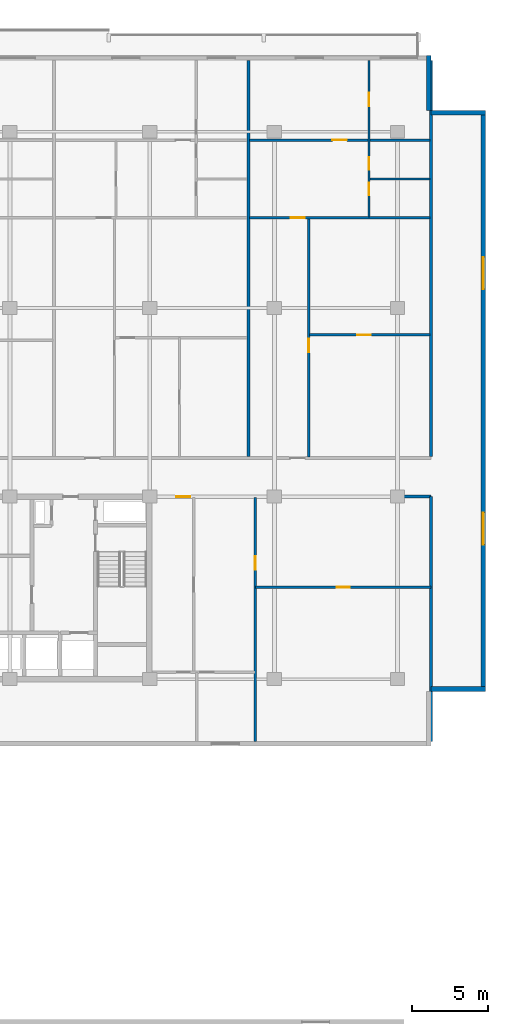
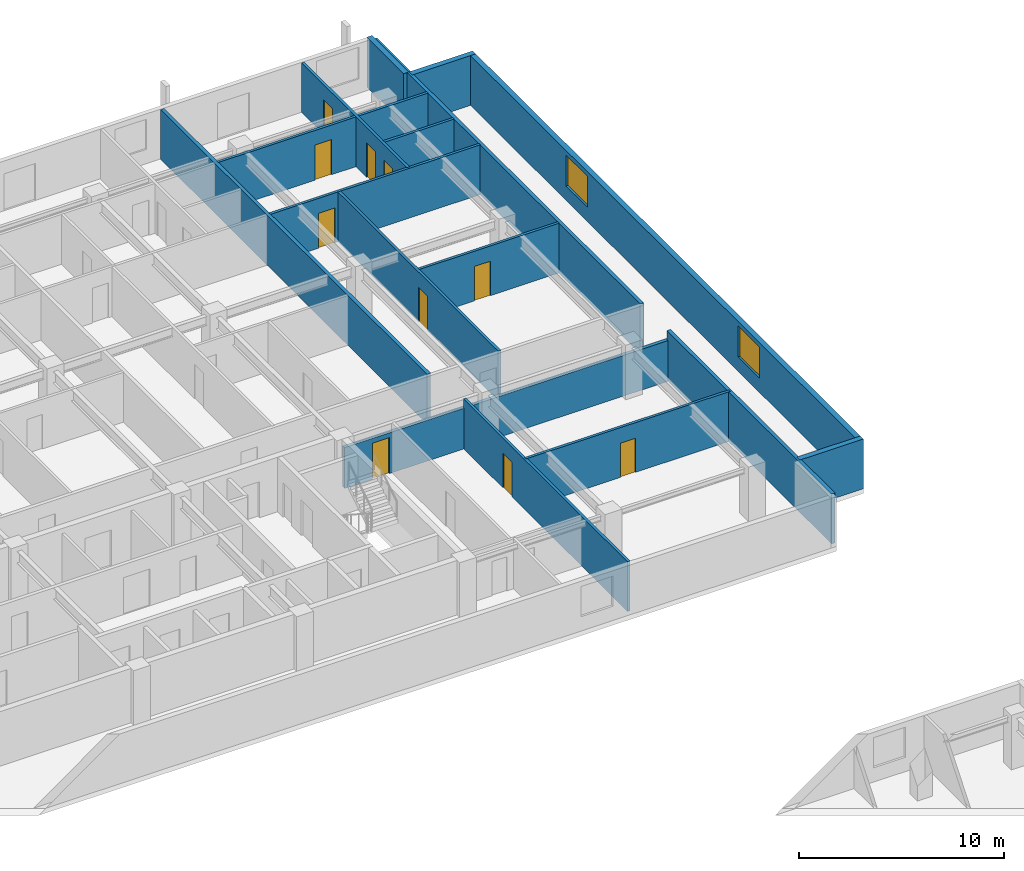
# One storey, part 15 of 21: 16 walls, 10 doors, 2 windows, 12 openings.
"""IFC4 building model written with IfcOpenShell, lengths in metres."""

from ifc_helpers import new_model, si_unit, direction, frame, frame_2d, origin, place, context, subcontext, project, spatial, rectangle, extrude, material, layer, layer_set, type_object, element, fill, save


model = new_model("IFC4")

# Units and contexts
model_context = context("Model", 3, precision=1e-05, world=origin(), true_north=direction((0.0, 1.0)))
body_context = subcontext(model_context, "Body", "Model", "MODEL_VIEW")
ifc_project = project(units=[si_unit("LENGTHUNIT", "METRE"), si_unit("AREAUNIT", "SQUARE_METRE"), si_unit("VOLUMEUNIT", "CUBIC_METRE"), si_unit("PLANEANGLEUNIT", "RADIAN"), si_unit("MASSUNIT", "GRAM", prefix="KILO")], contexts=[model_context])

# Site, building, storey
site_placement = place(None, origin())
site = spatial("IfcSite", under=ifc_project, at=site_placement, CompositionType="ELEMENT")
building_placement = place(site_placement, origin())
building = spatial("IfcBuilding", under=site, at=building_placement, Name="Korimba Cascade Residences", CompositionType="ELEMENT")
storey_placement = place(building_placement, frame((0.0, 0.0, 106.800048828125)))
storey = spatial("IfcBuildingStorey", under=building, at=storey_placement, Name="L30", CompositionType="ELEMENT", Elevation=106.800048828125)

# Wall
ifc_material_1 = material(Name="Precast concrete C40/50", Category="concrete")
ifc_layer_1 = layer(ifc_material_1, 0.300048828125)
ifc_layer_set_1 = layer_set([ifc_layer_1], Name="Precast concrete C40/50")
wall_type_1 = type_object("IfcWallType", Name="EW-STONE-300", PredefinedType="STANDARD", material=ifc_layer_set_1)
wall_1_placement = place(storey_placement, frame((130.60009765625, 54.550048828125, 0.0), z_axis=(0.0, 0.0, 1.0), x_axis=(1.0, 0.0, 0.0)))
element("IfcWall", 1, at=wall_1_placement, inside=storey, type_object=wall_type_1, Name="L30 T1 Perimeter Stone Wall E02", PredefinedType="STANDARD", context=body_context, shape_type="SweptSolid", body=[
    extrude(rectangle(XDim=3.599853515625, YDim=0.300048828125, at=frame_2d((1.7998046875, 0.0))), origin(), (0.0, 0.0, 1.0), 2.969970703125),
])

# Wall, openings, windows
wall_2_placement = place(storey_placement, frame((134.050048828125, 54.39990234375, 0.0), z_axis=(0.0, 0.0, 1.0), x_axis=(0.0, 1.0, 0.0)))
wall_2 = element("IfcWall", 2, at=wall_2_placement, inside=storey, type_object=wall_type_1, Name="L30 T1 Perimeter Stone Wall E03", PredefinedType="STANDARD", context=body_context, shape_type="SweptSolid", body=[
    extrude(rectangle(XDim=38.2001953125, YDim=0.300048828125, at=frame_2d((19.10009765625, 0.0))), origin(), (0.0, 0.0, 1.0), 2.969970703125),
])
opening_1_placement = place(wall_2_placement, frame((9.64599609375, 0.0, 0.85009765625)))
opening_1 = element("IfcOpeningElement", 3, at=opening_1_placement, cuts=wall_2, Name="Opening W-03", PredefinedType="OPENING", context=body_context, shape_type="SweptSolid", body=[
    extrude(rectangle(XDim=2.10009765625, YDim=1.85009765625, at=frame_2d((1.050048828125, 0.925048828125))), frame((0.0, 0.16015625, 0.0), z_axis=(0.0, -1.0, 0.0), x_axis=(1.0, 0.0, 0.0)), (0.0, 0.0, 1.0), 0.320068359375),
])
opening_2_placement = place(wall_2_placement, frame((26.4541015625, 0.0, 0.85009765625)))
opening_2 = element("IfcOpeningElement", 4, at=opening_2_placement, cuts=wall_2, Name="Opening W-03", PredefinedType="OPENING", context=body_context, shape_type="SweptSolid", body=[
    extrude(rectangle(XDim=2.10009765625, YDim=1.85009765625, at=frame_2d((1.050048828125, 0.925048828125))), frame((0.0, 0.16015625, 0.0), z_axis=(0.0, -1.0, 0.0), x_axis=(1.0, 0.0, 0.0)), (0.0, 0.0, 1.0), 0.320068359375),
])
ifc_material_2 = material(Name="Double-Glazed Aluminium Window", Category="aluminium")
window_type = type_object("IfcWindowType", Name="WIN-CRN-2100", PartitioningType="DOUBLE_PANEL_HORIZONTAL", PredefinedType="WINDOW", material=ifc_material_2)
window_1_placement = place(opening_1_placement, origin())
window_1 = element("IfcWindow", 5, at=window_1_placement, inside=storey, type_object=window_type, Name="L30 T1 End View Window 3.1", OverallHeight=1.85009765625, OverallWidth=2.10009765625, PartitioningType="DOUBLE_PANEL_HORIZONTAL", PredefinedType="WINDOW", context=body_context, shape_type="SweptSolid", body=[
    extrude(rectangle(XDim=2.10009765625, YDim=1.85009765625, at=frame_2d((1.050048828125, 0.925048828125))), frame((0.0, 0.030029296875, 0.0), z_axis=(0.0, -1.0, 0.0), x_axis=(1.0, 0.0, 0.0)), (0.0, 0.0, 1.0), 0.06005859375),
])
fill(opening_1, window_1)
window_2_placement = place(opening_2_placement, origin())
window_2 = element("IfcWindow", 6, at=window_2_placement, inside=storey, type_object=window_type, Name="L30 T1 End View Window 3.2", OverallHeight=1.85009765625, OverallWidth=2.10009765625, PartitioningType="DOUBLE_PANEL_HORIZONTAL", PredefinedType="WINDOW", context=body_context, shape_type="SweptSolid", body=[
    extrude(rectangle(XDim=2.10009765625, YDim=1.85009765625, at=frame_2d((1.050048828125, 0.925048828125))), frame((0.0, 0.030029296875, 0.0), z_axis=(0.0, -1.0, 0.0), x_axis=(1.0, 0.0, 0.0)), (0.0, 0.0, 1.0), 0.06005859375),
])
fill(opening_2, window_2)

# Walls
for number, where, z_axis, x_axis, name in (
    (7, (134.199951171875, 92.449951171875, 0.0), (0.0, 0.0, 1.0), (-1.0, 0.0, 0.0), "L30 T1 Perimeter Stone Wall E04"),
    (8, (130.449951171875, 92.60009765625, 0.0), (0.0, 0.0, 1.0), (0.0, 1.0, 0.0), "L30 T1 Perimeter Stone Wall E05"),
):
    element("IfcWall", number, at=place(storey_placement, frame(where, z_axis=z_axis, x_axis=x_axis)), inside=storey, type_object=wall_type_1, Name=name, PredefinedType="STANDARD", context=body_context, shape_type="SweptSolid", body=[
        extrude(rectangle(XDim=3.599853515625, YDim=0.300048828125, at=frame_2d((1.7998046875, 0.0))), origin(), (0.0, 0.0, 1.0), 2.969970703125),
    ])
ifc_layer_2 = layer(ifc_material_1, 0.199951171875)
ifc_layer_set_2 = layer_set([ifc_layer_2], Name="Precast concrete C40/50")
wall_type_2 = type_object("IfcWallType", Name="WAL-IT-200", PredefinedType="PARTITIONING", material=ifc_layer_set_2)
wall_3_placement = place(storey_placement, frame((130.60009765625, 51.10009765625, 0.0), z_axis=(0.0, 0.0, 1.0), x_axis=(0.0, 1.0, 0.0)))
element("IfcWall", 9, at=wall_3_placement, inside=storey, type_object=wall_type_2, Name="L30 Partition Wall WAL-L30-T1-FE-WR", PredefinedType="PARTITIONING", context=body_context, shape_type="SweptSolid", body=[
    extrude(rectangle(XDim=16.099853515625, YDim=0.199951171875, at=frame_2d((8.0498046875, 0.0))), origin(), (0.0, 0.0, 1.0), 2.969970703125),
])

# Wall, opening, door
wall_4_placement = place(storey_placement, frame((112.25, 67.199951171875, 0.0), z_axis=(0.0, 0.0, 1.0), x_axis=(1.0, 0.0, 0.0)))
wall_4 = element("IfcWall", 10, at=wall_4_placement, inside=storey, type_object=wall_type_2, Name="L30 Partition Wall WAL-L30-T1-FE-N", PredefinedType="PARTITIONING", context=body_context, shape_type="SweptSolid", body=[
    extrude(rectangle(XDim=18.35009765625, YDim=0.199951171875, at=frame_2d((9.175048828125, 0.0))), origin(), (0.0, 0.0, 1.0), 2.433349609375),
])
opening_3_placement = place(wall_4_placement, frame((1.580078125, 0.0, 0.0)))
opening_3 = element("IfcOpeningElement", 11, at=opening_3_placement, cuts=wall_4, Name="Opening D-UN1", PredefinedType="OPENING", context=body_context, shape_type="SweptSolid", body=[
    extrude(rectangle(XDim=0.949951171875, YDim=2.14990234375, at=frame_2d((0.47509765625, 1.074951171875))), frame((0.0, 0.10986328125, 0.0), z_axis=(0.0, -1.0, 0.0), x_axis=(1.0, 0.0, 0.0)), (0.0, 0.0, 1.0), 0.219970703125),
])
ifc_material_3 = material(Name="Fire-Rated Hardwood Apartment Entrance Door", Category="wood")
door_type_1 = type_object("IfcDoorType", Name="DR-FD60-950", OperationType="NOTDEFINED", PredefinedType="DOOR", material=ifc_material_3)
door_1_placement = place(opening_3_placement, origin())
door_1 = element("IfcDoor", 12, at=door_1_placement, inside=storey, type_object=door_type_1, Name="L30-T1-FE Entrance Door", OperationType="SINGLE_SWING_RIGHT", OverallHeight=2.14990234375, OverallWidth=0.949951171875, PredefinedType="DOOR", context=body_context, shape_type="SweptSolid", body=[
    extrude(rectangle(XDim=0.949951171875, YDim=2.14990234375, at=frame_2d((0.47509765625, 1.074951171875))), frame((0.0, 0.02490234375, 0.0), z_axis=(0.0, -1.0, 0.0), x_axis=(1.0, 0.0, 0.0)), (0.0, 0.0, 1.0), 0.050048828125),
])
fill(opening_3, door_1)

# Walls
for number, where, z_axis, x_axis, name in (
    (13, (130.60009765625, 69.830078125, 0.0), (0.0, 0.0, 1.0), (0.0, 1.0, 0.0), "L30 Partition Wall WAL-L30-T1-BNDWR"),
    (14, (118.583984375, 69.830078125, 0.0), (0.0, 0.0, 1.0), (0.0, 1.0, 0.0), "L30 Partition Wall WAL-L30-T1-DEM-4"),
):
    element("IfcWall", number, at=place(storey_placement, frame(where, z_axis=z_axis, x_axis=x_axis)), inside=storey, type_object=wall_type_2, Name=name, PredefinedType="PARTITIONING", context=body_context, shape_type="SweptSolid", body=[
        extrude(rectangle(XDim=26.06982421875, YDim=0.199951171875, at=frame_2d((13.034912109375, 0.0))), origin(), (0.0, 0.0, 1.0), 2.969970703125),
    ])

# Wall, opening, door
ifc_material_4 = material(Name="Insulated Acoustic Stud Partition", Category="gypsum")
ifc_layer_3 = layer(ifc_material_4, 0.14990234375)
ifc_layer_set_3 = layer_set([ifc_layer_3], Name="Insulated Acoustic Stud Partition")
wall_type_3 = type_object("IfcWallType", Name="WAL-PART-150", PredefinedType="PARTITIONING", material=ifc_layer_set_3)
wall_5_placement = place(storey_placement, frame((119.050048828125, 61.25, 0.0), z_axis=(0.0, 0.0, 1.0), x_axis=(1.0, 0.0, 0.0)))
wall_5 = element("IfcWall", 15, at=wall_5_placement, inside=storey, type_object=wall_type_3, Name="L30 Partition Wall WAL-L30-T1-FE-STH", PredefinedType="PARTITIONING", context=body_context, shape_type="SweptSolid", body=[
    extrude(rectangle(XDim=11.550048828125, YDim=0.14990234375, at=frame_2d((5.77490234375, 0.0))), origin(), (0.0, 0.0, 1.0), 2.969970703125),
])
opening_4_placement = place(wall_5_placement, frame((5.35498046875, 0.0, 0.0)))
opening_4 = element("IfcOpeningElement", 16, at=opening_4_placement, cuts=wall_5, Name="Opening D-BT1", PredefinedType="OPENING", context=body_context, shape_type="SweptSolid", body=[
    extrude(rectangle(XDim=0.840087890625, YDim=2.0400390625, at=frame_2d((0.419921875, 1.02001953125))), frame((0.0, 0.0849609375, 0.0), z_axis=(0.0, -1.0, 0.0), x_axis=(1.0, 0.0, 0.0)), (0.0, 0.0, 1.0), 0.169921875),
])
ifc_material_5 = material(Name="Moisture-Resistant Bathroom Timber Door", Category="wood")
door_type_2 = type_object("IfcDoorType", Name="DR-INT-850", OperationType="NOTDEFINED", PredefinedType="DOOR", material=ifc_material_5)
door_2_placement = place(opening_4_placement, origin())
door_2 = element("IfcDoor", 17, at=door_2_placement, inside=storey, type_object=door_type_2, Name="L30-T1-FE Dressing Store Door", OperationType="SINGLE_SWING_LEFT", OverallHeight=2.0400390625, OverallWidth=0.840087890625, PredefinedType="DOOR", context=body_context, shape_type="SweptSolid", body=[
    extrude(rectangle(XDim=0.840087890625, YDim=2.0400390625, at=frame_2d((0.419921875, 1.02001953125))), frame((0.0, 0.02490234375, 0.0), z_axis=(0.0, -1.0, 0.0), x_axis=(1.0, 0.0, 0.0)), (0.0, 0.0, 1.0), 0.050048828125),
])
fill(opening_4, door_2)

wall_6_placement = place(storey_placement, frame((119.050048828125, 51.10009765625, 0.0), z_axis=(0.0, 0.0, 1.0), x_axis=(0.0, 1.0, 0.0)))
wall_6 = element("IfcWall", 18, at=wall_6_placement, inside=storey, type_object=wall_type_3, Name="L30 Partition Wall WAL-L30-T1-FE-STV", PredefinedType="PARTITIONING", context=body_context, shape_type="SweptSolid", body=[
    extrude(rectangle(XDim=16.0498046875, YDim=0.14990234375, at=frame_2d((8.02490234375, 0.0))), origin(), (0.0, 0.0, 1.0), 2.969970703125),
])
opening_5_placement = place(wall_6_placement, frame((11.300048828125, 0.0, 0.0)))
opening_5 = element("IfcOpeningElement", 19, at=opening_5_placement, cuts=wall_6, Name="Opening D-IN2", PredefinedType="OPENING", context=body_context, shape_type="SweptSolid", body=[
    extrude(rectangle(XDim=0.8798828125, YDim=2.06005859375, at=frame_2d((0.43994140625, 1.030029296875))), frame((0.0, 0.0849609375, 0.0), z_axis=(0.0, -1.0, 0.0), x_axis=(1.0, 0.0, 0.0)), (0.0, 0.0, 1.0), 0.169921875),
])
ifc_material_6 = material(Name="Acoustic Timber Bedroom Door", Category="wood")
door_type_3 = type_object("IfcDoorType", Name="DR-INT-880", OperationType="NOTDEFINED", PredefinedType="DOOR", material=ifc_material_6)
door_3_placement = place(opening_5_placement, origin())
door_3 = element("IfcDoor", 20, at=door_3_placement, inside=storey, type_object=door_type_3, Name="L30-T1-FE Study Door", OperationType="SINGLE_SWING_RIGHT", OverallHeight=2.06005859375, OverallWidth=0.8798828125, PredefinedType="DOOR", context=body_context, shape_type="SweptSolid", body=[
    extrude(rectangle(XDim=0.8798828125, YDim=2.06005859375, at=frame_2d((0.43994140625, 1.030029296875))), frame((0.0, 0.02490234375, 0.0), z_axis=(0.0, -1.0, 0.0), x_axis=(1.0, 0.0, 0.0)), (0.0, 0.0, 1.0), 0.050048828125),
])
fill(opening_5, door_3)

wall_7_placement = place(storey_placement, frame((122.614013671875, 77.840087890625, 0.0), z_axis=(0.0, 0.0, 1.0), x_axis=(1.0, 0.0, 0.0)))
wall_7 = element("IfcWall", 21, at=wall_7_placement, inside=storey, type_object=wall_type_3, Name="L30 Partition Wall WAL-L30-T1-U05-FMH", PredefinedType="PARTITIONING", context=body_context, shape_type="SweptSolid", body=[
    extrude(rectangle(XDim=7.906005859375, YDim=0.14990234375, at=frame_2d((3.953125, 0.0))), origin(), (0.0, 0.0, 1.0), 2.969970703125),
])
opening_6_placement = place(wall_7_placement, frame((3.133544921875, 0.0, 0.0)))
opening_6 = element("IfcOpeningElement", 22, at=opening_6_placement, cuts=wall_7, Name="Opening D-IN2", PredefinedType="OPENING", context=body_context, shape_type="SweptSolid", body=[
    extrude(rectangle(XDim=0.8798828125, YDim=2.06005859375, at=frame_2d((0.43994140625, 1.030029296875))), frame((0.0, 0.0849609375, 0.0), z_axis=(0.0, -1.0, 0.0), x_axis=(1.0, 0.0, 0.0)), (0.0, 0.0, 1.0), 0.169921875),
])
door_4_placement = place(opening_6_placement, origin())
door_4 = element("IfcDoor", 23, at=door_4_placement, inside=storey, type_object=door_type_3, Name="L30-T1-U05 Library Salon Door", OperationType="SINGLE_SWING_LEFT", OverallHeight=2.06005859375, OverallWidth=0.8798828125, PredefinedType="DOOR", context=body_context, shape_type="SweptSolid", body=[
    extrude(rectangle(XDim=0.8798828125, YDim=2.06005859375, at=frame_2d((0.43994140625, 1.030029296875))), frame((0.0, 0.02490234375, 0.0), z_axis=(0.0, -1.0, 0.0), x_axis=(1.0, 0.0, 0.0)), (0.0, 0.0, 1.0), 0.050048828125),
])
fill(opening_6, door_4)

wall_8_placement = place(storey_placement, frame((122.553955078125, 69.81005859375, 0.0), z_axis=(0.0, 0.0, 1.0), x_axis=(0.0, 1.0, 0.0)))
wall_8 = element("IfcWall", 24, at=wall_8_placement, inside=storey, type_object=wall_type_3, Name="L30 Partition Wall WAL-L30-T1-U05-FV", PredefinedType="PARTITIONING", context=body_context, shape_type="SweptSolid", body=[
    extrude(rectangle(XDim=15.699951171875, YDim=0.14990234375, at=frame_2d((7.85009765625, 0.0))), origin(), (0.0, 0.0, 1.0), 2.969970703125),
])
opening_7_placement = place(wall_8_placement, frame((6.89990234375, 0.0, 0.0)))
opening_7 = element("IfcOpeningElement", 25, at=opening_7_placement, cuts=wall_8, Name="Opening D-IN2", PredefinedType="OPENING", context=body_context, shape_type="SweptSolid", body=[
    extrude(rectangle(XDim=0.8798828125, YDim=2.06005859375, at=frame_2d((0.43994140625, 1.030029296875))), frame((0.0, 0.0849609375, 0.0), z_axis=(0.0, -1.0, 0.0), x_axis=(1.0, 0.0, 0.0)), (0.0, 0.0, 1.0), 0.169921875),
])
door_5_placement = place(opening_7_placement, origin())
door_5 = element("IfcDoor", 26, at=door_5_placement, inside=storey, type_object=door_type_3, Name="L30-T1-U05 Media Lounge Door", OperationType="SINGLE_SWING_RIGHT", OverallHeight=2.06005859375, OverallWidth=0.8798828125, PredefinedType="DOOR", context=body_context, shape_type="SweptSolid", body=[
    extrude(rectangle(XDim=0.8798828125, YDim=2.06005859375, at=frame_2d((0.43994140625, 1.030029296875))), frame((0.0, 0.02490234375, 0.0), z_axis=(0.0, -1.0, 0.0), x_axis=(1.0, 0.0, 0.0)), (0.0, 0.0, 1.0), 0.050048828125),
])
fill(opening_7, door_5)

# Wall
wall_9_placement = place(storey_placement, frame((126.580078125, 88.090087890625, 0.0), z_axis=(0.0, 0.0, 1.0), x_axis=(1.0, 0.0, 0.0)))
element("IfcWall", 27, at=wall_9_placement, inside=storey, type_object=wall_type_3, Name="L30 Partition Wall WAL-L30-T1-U05-BLDIV", PredefinedType="PARTITIONING", context=body_context, shape_type="SweptSolid", body=[
    extrude(rectangle(XDim=3.93994140625, YDim=0.14990234375, at=frame_2d((1.969970703125, 0.0))), origin(), (0.0, 0.0, 1.0), 2.969970703125),
])

# Wall, openings, doors
wall_10_placement = place(storey_placement, frame((126.52001953125, 85.590087890625, 0.0), z_axis=(0.0, 0.0, 1.0), x_axis=(0.0, 1.0, 0.0)))
wall_10 = element("IfcWall", 28, at=wall_10_placement, inside=storey, type_object=wall_type_3, Name="L30 Partition Wall WAL-L30-T1-U05-V1", PredefinedType="PARTITIONING", context=body_context, shape_type="SweptSolid", body=[
    extrude(rectangle(XDim=10.309814453125, YDim=0.14990234375, at=frame_2d((5.15478515625, 0.0))), origin(), (0.0, 0.0, 1.0), 2.969970703125),
])
opening_8_placement = place(wall_10_placement, frame((1.430419921875, 0.0, 0.0)))
opening_8 = element("IfcOpeningElement", 29, at=opening_8_placement, cuts=wall_10, Name="Opening D-BT1", PredefinedType="OPENING", context=body_context, shape_type="SweptSolid", body=[
    extrude(rectangle(XDim=0.840087890625, YDim=2.0400390625, at=frame_2d((0.419921875, 1.02001953125))), frame((0.0, 0.0849609375, 0.0), z_axis=(0.0, -1.0, 0.0), x_axis=(1.0, 0.0, 0.0)), (0.0, 0.0, 1.0), 0.169921875),
])
opening_9_placement = place(wall_10_placement, frame((3.1015625, 0.0, 0.0)))
opening_9 = element("IfcOpeningElement", 30, at=opening_9_placement, cuts=wall_10, Name="Opening D-BT1", PredefinedType="OPENING", context=body_context, shape_type="SweptSolid", body=[
    extrude(rectangle(XDim=0.840087890625, YDim=2.0400390625, at=frame_2d((0.419921875, 1.02001953125))), frame((0.0, 0.0849609375, 0.0), z_axis=(0.0, -1.0, 0.0), x_axis=(1.0, 0.0, 0.0)), (0.0, 0.0, 1.0), 0.169921875),
])
opening_10_placement = place(wall_10_placement, frame((7.28955078125, 0.0, 0.0)))
opening_10 = element("IfcOpeningElement", 31, at=opening_10_placement, cuts=wall_10, Name="Opening D-IN2", PredefinedType="OPENING", context=body_context, shape_type="SweptSolid", body=[
    extrude(rectangle(XDim=0.8798828125, YDim=2.06005859375, at=frame_2d((0.43994140625, 1.030029296875))), frame((0.0, 0.0849609375, 0.0), z_axis=(0.0, -1.0, 0.0), x_axis=(1.0, 0.0, 0.0)), (0.0, 0.0, 1.0), 0.169921875),
])
door_6_placement = place(opening_8_placement, origin())
door_6 = element("IfcDoor", 32, at=door_6_placement, inside=storey, type_object=door_type_2, Name="L30-T1-U05 Bathroom Door", OperationType="SINGLE_SWING_LEFT", OverallHeight=2.0400390625, OverallWidth=0.840087890625, PredefinedType="DOOR", context=body_context, shape_type="SweptSolid", body=[
    extrude(rectangle(XDim=0.840087890625, YDim=2.0400390625, at=frame_2d((0.419921875, 1.02001953125))), frame((0.0, 0.02490234375, 0.0), z_axis=(0.0, -1.0, 0.0), x_axis=(1.0, 0.0, 0.0)), (0.0, 0.0, 1.0), 0.050048828125),
])
fill(opening_8, door_6)
door_7_placement = place(opening_9_placement, origin())
door_7 = element("IfcDoor", 33, at=door_7_placement, inside=storey, type_object=door_type_2, Name="L30-T1-U05 Laundry Door", OperationType="SINGLE_SWING_RIGHT", OverallHeight=2.0400390625, OverallWidth=0.840087890625, PredefinedType="DOOR", context=body_context, shape_type="SweptSolid", body=[
    extrude(rectangle(XDim=0.840087890625, YDim=2.0400390625, at=frame_2d((0.419921875, 1.02001953125))), frame((0.0, 0.02490234375, 0.0), z_axis=(0.0, -1.0, 0.0), x_axis=(1.0, 0.0, 0.0)), (0.0, 0.0, 1.0), 0.050048828125),
])
fill(opening_9, door_7)
door_8_placement = place(opening_10_placement, origin())
door_8 = element("IfcDoor", 34, at=door_8_placement, inside=storey, type_object=door_type_3, Name="L30-T1-U05 Bedroom 1 Door", OperationType="SINGLE_SWING_LEFT", OverallHeight=2.06005859375, OverallWidth=0.8798828125, PredefinedType="DOOR", context=body_context, shape_type="SweptSolid", body=[
    extrude(rectangle(XDim=0.8798828125, YDim=2.06005859375, at=frame_2d((0.43994140625, 1.030029296875))), frame((0.0, 0.02490234375, 0.0), z_axis=(0.0, -1.0, 0.0), x_axis=(1.0, 0.0, 0.0)), (0.0, 0.0, 1.0), 0.050048828125),
])
fill(opening_10, door_8)

# Wall, opening, door
wall_11_placement = place(storey_placement, frame((118.663818359375, 85.550048828125, 0.0), z_axis=(0.0, 0.0, 1.0), x_axis=(1.0, 0.0, 0.0)))
wall_11 = element("IfcWall", 35, at=wall_11_placement, inside=storey, type_object=wall_type_3, Name="L30 Partition Wall WAL-L30-T1-U05-MW", PredefinedType="PARTITIONING", context=body_context, shape_type="SweptSolid", body=[
    extrude(rectangle(XDim=11.856201171875, YDim=0.14990234375, at=frame_2d((5.92822265625, 0.0))), origin(), (0.0, 0.0, 1.0), 2.969970703125),
])
opening_11_placement = place(wall_11_placement, frame((2.719970703125, 0.0, 0.0)))
opening_11 = element("IfcOpeningElement", 36, at=opening_11_placement, cuts=wall_11, Name="Opening D-IN1", PredefinedType="OPENING", context=body_context, shape_type="SweptSolid", body=[
    extrude(rectangle(XDim=0.919921875, YDim=2.080078125, at=frame_2d((0.4599609375, 1.0400390625))), frame((0.0, 0.0849609375, 0.0), z_axis=(0.0, -1.0, 0.0), x_axis=(1.0, 0.0, 0.0)), (0.0, 0.0, 1.0), 0.169921875),
])
ifc_material_7 = material(Name="Acoustic Timber Living Door", Category="wood")
door_type_4 = type_object("IfcDoorType", Name="DR-INT-920", OperationType="NOTDEFINED", PredefinedType="DOOR", material=ifc_material_7)
door_9_placement = place(opening_11_placement, origin())
door_9 = element("IfcDoor", 37, at=door_9_placement, inside=storey, type_object=door_type_4, Name="L30-T1-U05 Kitchen Archway Door", OperationType="SINGLE_SWING_RIGHT", OverallHeight=2.080078125, OverallWidth=0.919921875, PredefinedType="DOOR", context=body_context, shape_type="SweptSolid", body=[
    extrude(rectangle(XDim=0.919921875, YDim=2.080078125, at=frame_2d((0.4599609375, 1.0400390625))), frame((0.0, 0.02490234375, 0.0), z_axis=(0.0, -1.0, 0.0), x_axis=(1.0, 0.0, 0.0)), (0.0, 0.0, 1.0), 0.050048828125),
])
fill(opening_11, door_9)

wall_12_placement = place(storey_placement, frame((118.663818359375, 90.64990234375, 0.0), z_axis=(0.0, 0.0, 1.0), x_axis=(1.0, 0.0, 0.0)))
wall_12 = element("IfcWall", 38, at=wall_12_placement, inside=storey, type_object=wall_type_3, Name="L30 Partition Wall WAL-L30-T1-U05-HZ", PredefinedType="PARTITIONING", context=body_context, shape_type="SweptSolid", body=[
    extrude(rectangle(XDim=11.856201171875, YDim=0.14990234375, at=frame_2d((5.92822265625, 0.0))), origin(), (0.0, 0.0, 1.0), 2.969970703125),
])
opening_12_placement = place(wall_12_placement, frame((5.4580078125, 0.0, 0.0)))
opening_12 = element("IfcOpeningElement", 39, at=opening_12_placement, cuts=wall_12, Name="Opening D-IN0", PredefinedType="OPENING", context=body_context, shape_type="SweptSolid", body=[
    extrude(rectangle(XDim=0.93994140625, YDim=2.10009765625, at=frame_2d((0.469970703125, 1.050048828125))), frame((0.0, 0.0849609375, 0.0), z_axis=(0.0, -1.0, 0.0), x_axis=(1.0, 0.0, 0.0)), (0.0, 0.0, 1.0), 0.169921875),
])
ifc_material_8 = material(Name="Acoustic Timber Living Archway Door", Category="wood")
door_type_5 = type_object("IfcDoorType", Name="DR-INT-950", OperationType="NOTDEFINED", PredefinedType="DOOR", material=ifc_material_8)
door_10_placement = place(opening_12_placement, origin())
door_10 = element("IfcDoor", 40, at=door_10_placement, inside=storey, type_object=door_type_5, Name="L30-T1-U05 Living Archway Door", OperationType="SINGLE_SWING_LEFT", OverallHeight=2.10009765625, OverallWidth=0.93994140625, PredefinedType="DOOR", context=body_context, shape_type="SweptSolid", body=[
    extrude(rectangle(XDim=0.93994140625, YDim=2.10009765625, at=frame_2d((0.469970703125, 1.050048828125))), frame((0.0, 0.02490234375, 0.0), z_axis=(0.0, -1.0, 0.0), x_axis=(1.0, 0.0, 0.0)), (0.0, 0.0, 1.0), 0.050048828125),
])
fill(opening_12, door_10)

save(model, "model.ifc")
